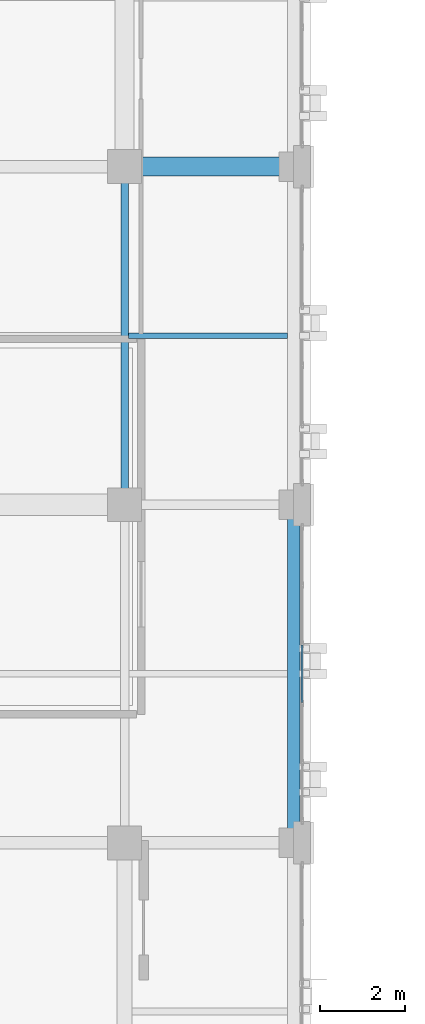
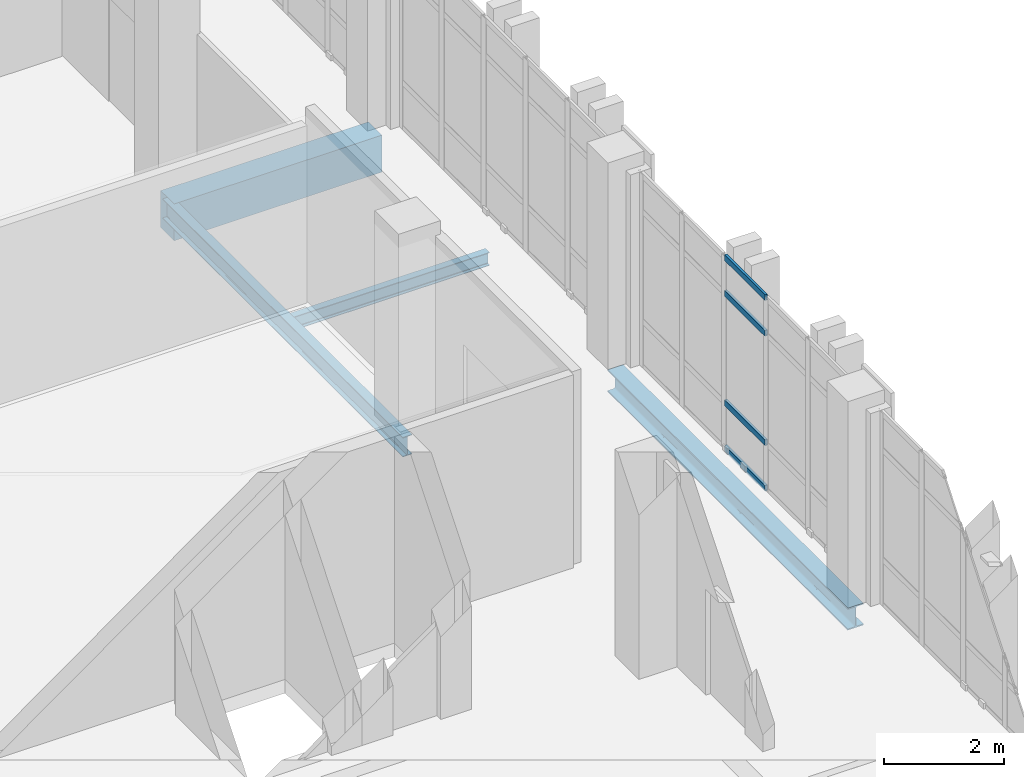
# One storey, part 39 of 158: 4 beams, 4 members, 1 element without a shape of its own.
"""IFC4 building model written with IfcOpenShell, lengths in metres."""

from ifc_helpers import new_model, si_unit, direction, frame, origin, origin_2d, place, context, subcontext, project, spatial, rectangle, hollow_rectangle, i_section, extrude, material, layer, layer_set, material_profile, profile_set, type_object, element, aggregate, save


model = new_model("IFC4")

# Units and contexts
model_context = context("Model", 3, precision=1e-05, world=origin(), true_north=direction((0.0, 1.0)))
body_context = subcontext(model_context, "Body", "Model", "MODEL_VIEW")
ifc_project = project(units=[si_unit("LENGTHUNIT", "METRE"), si_unit("AREAUNIT", "SQUARE_METRE"), si_unit("VOLUMEUNIT", "CUBIC_METRE"), si_unit("PLANEANGLEUNIT", "RADIAN"), si_unit("MASSUNIT", "GRAM", prefix="KILO")], contexts=[model_context])

# Site, building, storey
site_placement = place(None, origin())
site = spatial("IfcSite", under=ifc_project, at=site_placement, CompositionType="ELEMENT")
building_placement = place(site_placement, origin())
building = spatial("IfcBuilding", under=site, at=building_placement, Name="Qalavern Law Courts", CompositionType="ELEMENT")
storey_placement = place(building_placement, frame((0.0, 0.0, 18.60009765625)))
storey = spatial("IfcBuildingStorey", under=building, at=storey_placement, Name="L04", CompositionType="ELEMENT", Elevation=18.60009765625)

# Curtain wall, members
ifc_material_1 = material(Name="Anodised aluminium and insulated glazing", Category="aluminium")
ifc_layer = layer(ifc_material_1, 0.159912109375)
ifc_layer_set = layer_set([ifc_layer], Name="Anodised aluminium and insulated glazing")
curtain_wall_type = type_object("IfcCurtainWallType", Name="ENV-CW-CHAMB", PredefinedType="USERDEFINED", material=ifc_layer_set)
curtain_wall_placement = place(storey_placement, origin())
curtain_wall = element("IfcCurtainWall", 1, at=curtain_wall_placement, inside=storey, type_object=curtain_wall_type, Name="V3 unitised curtain wall L04 east 2", ObjectType="UNITISED CURTAIN WALL", PredefinedType="USERDEFINED")
ifc_material_2 = material(Name="Anodised aluminium", Category="aluminium")
ifc_material_profile_1 = material_profile(ifc_material_2, hollow_rectangle(XDim=0.048095703125, YDim=0.1201171875, WallThickness=0.00390625, at=origin_2d()), Name="ALU TRANSOM 48x120")
ifc_profile_set_1 = profile_set([ifc_material_profile_1], Name="Anodised aluminium")
member_type = type_object("IfcMemberType", Name="ENV-CWT-48x120", PredefinedType="USERDEFINED", material=ifc_profile_set_1)
member_1_placement = place(storey_placement, frame((18.60009765625, 52.72412109375, 0.02392578125), z_axis=(0.0, 1.0, 0.0), x_axis=(-1.0, 0.0, 0.0)))
member_1 = element("IfcMember", 2, at=member_1_placement, type_object=member_type, Name="CW-04 transom 3.1", ObjectType="TRANSOM", PredefinedType="USERDEFINED", context=body_context, shape_type="SweptSolid", body=[
    extrude(hollow_rectangle(XDim=0.048095703125, YDim=0.1201171875, WallThickness=0.00390625, at=origin_2d()), origin(), (0.0, 0.0, 1.0), 1.351806640625),
])
member_2_placement = place(storey_placement, frame((18.60009765625, 52.72412109375, 0.949951171875), z_axis=(0.0, 1.0, 0.0), x_axis=(-1.0, 0.0, 0.0)))
member_2 = element("IfcMember", 3, at=member_2_placement, type_object=member_type, Name="CW-04 transom 3.2", ObjectType="TRANSOM", PredefinedType="USERDEFINED", context=body_context, shape_type="SweptSolid", body=[
    extrude(hollow_rectangle(XDim=0.048095703125, YDim=0.1201171875, WallThickness=0.00390625, at=origin_2d()), origin(), (0.0, 0.0, 1.0), 1.351806640625),
])
member_3_placement = place(storey_placement, frame((18.60009765625, 52.72412109375, 3.1748046875), z_axis=(0.0, 1.0, 0.0), x_axis=(-1.0, 0.0, 0.0)))
member_3 = element("IfcMember", 4, at=member_3_placement, type_object=member_type, Name="CW-04 transom 3.3", ObjectType="TRANSOM", PredefinedType="USERDEFINED", context=body_context, shape_type="SweptSolid", body=[
    extrude(hollow_rectangle(XDim=0.048095703125, YDim=0.1201171875, WallThickness=0.00390625, at=origin_2d()), origin(), (0.0, 0.0, 1.0), 1.351806640625),
])
member_4_placement = place(storey_placement, frame((18.60009765625, 52.72412109375, 3.90087890625), z_axis=(0.0, 1.0, 0.0), x_axis=(-1.0, 0.0, 0.0)))
member_4 = element("IfcMember", 5, at=member_4_placement, type_object=member_type, Name="CW-04 transom 3.4", ObjectType="TRANSOM", PredefinedType="USERDEFINED", context=body_context, shape_type="SweptSolid", body=[
    extrude(hollow_rectangle(XDim=0.048095703125, YDim=0.1201171875, WallThickness=0.00390625, at=origin_2d()), origin(), (0.0, 0.0, 1.0), 1.351806640625),
])
aggregate(curtain_wall, [member_1, member_2, member_3, member_4])

# Beams
ifc_material_3 = material(Name="Steel S355", Category="steel")
ifc_material_profile_2 = material_profile(ifc_material_3, i_section(OverallWidth=0.179931640625, OverallDepth=0.39990234375, WebThickness=0.008544921875, FlangeThickness=0.013427734375, FilletRadius=0.02099609375, at=origin_2d()), Name="IPE 400")
ifc_profile_set_2 = profile_set([ifc_material_profile_2], Name="Steel S355")
beam_type_1 = type_object("IfcBeamType", Name="STR-BM-IPE400", PredefinedType="BEAM", material=ifc_profile_set_2)
beam_1_placement = place(storey_placement, frame((14.39990234375, 57.39990234375, -0.47998046875), z_axis=(0.0, 1.0, 0.0), x_axis=(-1.0, 0.0, 0.0)))
element("IfcBeam", 6, at=beam_1_placement, inside=storey, type_object=beam_type_1, Name="V3 Y-beam 2-3 L04", PredefinedType="BEAM", context=body_context, shape_type="SweptSolid", body=[
    extrude(i_section(OverallWidth=0.179931640625, OverallDepth=0.39990234375, WebThickness=0.008544921875, FlangeThickness=0.013427734375, FilletRadius=0.02099609375, at=origin_2d()), origin(), (0.0, 0.0, 1.0), 8.0),
])
ifc_material_4 = material(Name="Concrete C40/50", Category="concrete")
ifc_material_profile_3 = material_profile(ifc_material_4, rectangle(XDim=0.449951171875, YDim=0.75, at=origin_2d()), Name="RC 450x750")
ifc_profile_set_3 = profile_set([ifc_material_profile_3], Name="Concrete C40/50")
beam_type_2 = type_object("IfcBeamType", Name="STR-BM-RC450x750", PredefinedType="BEAM", material=ifc_profile_set_3)
beam_2_placement = place(storey_placement, frame((14.39990234375, 65.39990234375, -0.655029296875), z_axis=(1.0, 0.0, 0.0), x_axis=(0.0, 1.0, 0.0)))
element("IfcBeam", 7, at=beam_2_placement, inside=storey, type_object=beam_type_2, Name="V3 X-beam 4-2 L04", PredefinedType="BEAM", context=body_context, shape_type="SweptSolid", body=[
    extrude(rectangle(XDim=0.449951171875, YDim=0.75, at=origin_2d()), origin(), (0.0, 0.0, 1.0), 4.0),
])
ifc_material_profile_4 = material_profile(ifc_material_3, i_section(OverallWidth=0.135009765625, OverallDepth=0.27001953125, WebThickness=0.006591796875, FlangeThickness=0.01025390625, FilletRadius=0.014892578125, at=origin_2d()), Name="IPE 270")
ifc_profile_set_4 = profile_set([ifc_material_profile_4], Name="Steel S355")
beam_type_3 = type_object("IfcBeamType", Name="STR-JST-IPE270", PredefinedType="JOIST", material=ifc_profile_set_4)
beam_3_placement = place(storey_placement, frame((14.488037109375, 61.39990234375, -0.4150390625), z_axis=(1.0, 0.0, 0.0), x_axis=(0.0, 1.0, 0.0)))
element("IfcBeam", 8, at=beam_3_placement, inside=storey, type_object=beam_type_3, Name="V3 secondary joist 2.3.1 L04", PredefinedType="JOIST", context=body_context, shape_type="SweptSolid", body=[
    extrude(i_section(OverallWidth=0.135009765625, OverallDepth=0.27001953125, WebThickness=0.006591796875, FlangeThickness=0.01025390625, FilletRadius=0.014892578125, at=origin_2d()), origin(), (0.0, 0.0, 1.0), 3.763916015625),
])
ifc_material_profile_5 = material_profile(ifc_material_3, i_section(OverallWidth=0.300048828125, OverallDepth=0.449951171875, WebThickness=0.013916015625, FlangeThickness=0.02587890625, FilletRadius=0.027099609375, at=origin_2d()), Name="HEB 450")
ifc_profile_set_5 = profile_set([ifc_material_profile_5], Name="Steel S355")
beam_type_4 = type_object("IfcBeamType", Name="STR-SP-HEB450", PredefinedType="SPANDREL", material=ifc_profile_set_5)
beam_4_placement = place(storey_placement, frame((18.39990234375, 49.39990234375, -0.505126953125), z_axis=(0.0, 1.0, 0.0), x_axis=(-1.0, 0.0, 0.0)))
element("IfcBeam", 9, at=beam_4_placement, inside=storey, type_object=beam_type_4, Name="V3 Y-beam 3-2 L04", PredefinedType="SPANDREL", context=body_context, shape_type="SweptSolid", body=[
    extrude(i_section(OverallWidth=0.300048828125, OverallDepth=0.449951171875, WebThickness=0.013916015625, FlangeThickness=0.02587890625, FilletRadius=0.027099609375, at=origin_2d()), origin(), (0.0, 0.0, 1.0), 8.0),
])

save(model, "model.ifc")
